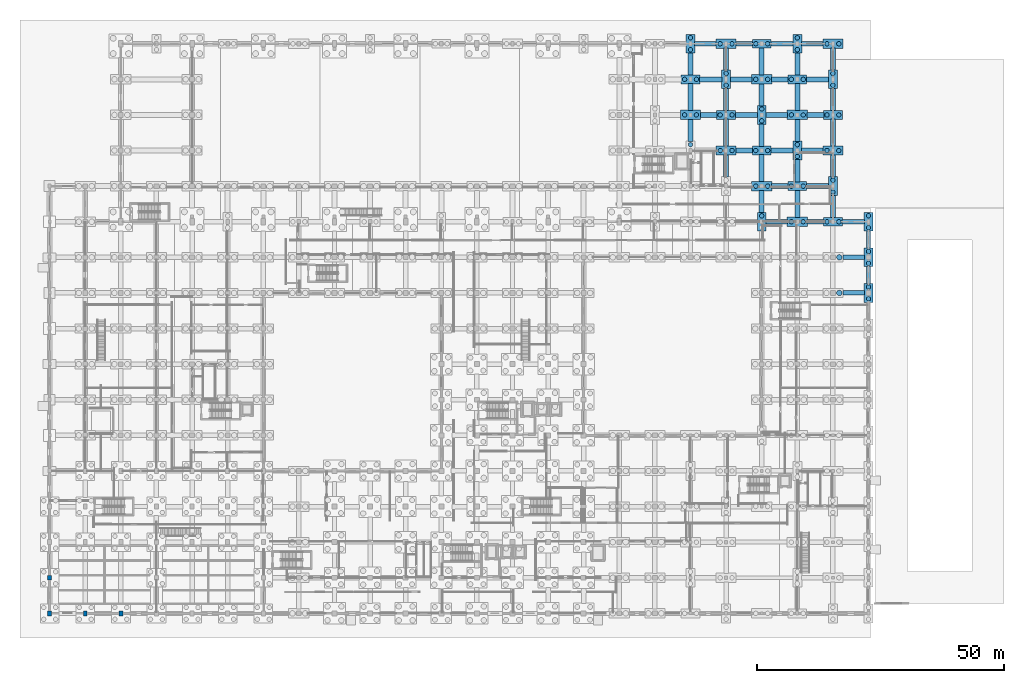
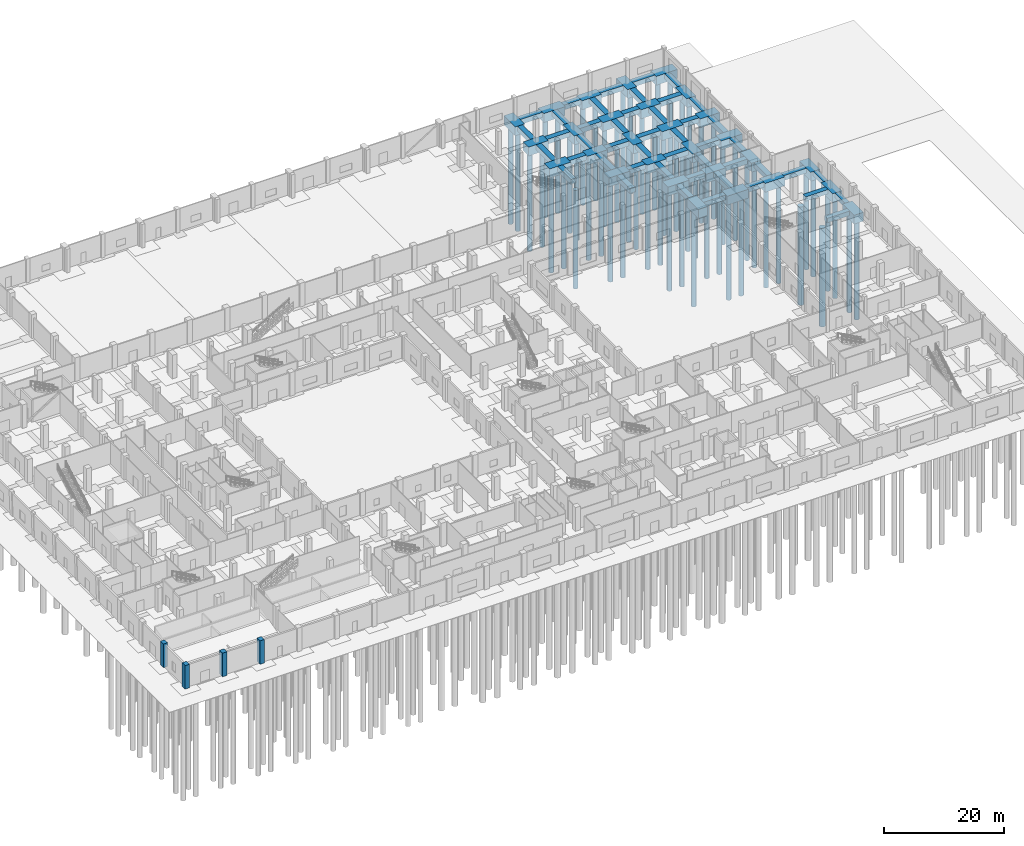
# One storey, part 12 of 48: 74 footings, 58 piles, 4 columns.
"""IFC4 building model written with IfcOpenShell, lengths in metres."""

from ifc_helpers import new_model, si_unit, direction, frame, origin, origin_2d, place, context, subcontext, project, spatial, rectangle, circle, extrude, material, material_profile, profile_set, type_object, element, save


model = new_model("IFC4")

# Units and contexts
model_context = context("Model", 3, precision=1e-05, world=origin(), true_north=direction((0.0, 1.0)))
body_context = subcontext(model_context, "Body", "Model", "MODEL_VIEW")
ifc_project = project(units=[si_unit("LENGTHUNIT", "METRE"), si_unit("AREAUNIT", "SQUARE_METRE"), si_unit("VOLUMEUNIT", "CUBIC_METRE"), si_unit("PLANEANGLEUNIT", "RADIAN"), si_unit("MASSUNIT", "GRAM", prefix="KILO")], contexts=[model_context])

# Site, building, storey
site_placement = place(None, origin())
site = spatial("IfcSite", under=ifc_project, at=site_placement, CompositionType="ELEMENT")
building_placement = place(site_placement, origin())
building = spatial("IfcBuilding", under=site, at=building_placement, Name="Seraya Terrace Polytechnic", CompositionType="ELEMENT")
storey_placement = place(building_placement, origin())
storey = spatial("IfcBuildingStorey", under=building, at=storey_placement, Name="L00", CompositionType="ELEMENT", Elevation=0.0)

# Piles
ifc_material = material(Name="Concrete C40/50", Category="concrete")
ifc_material_profile_1 = material_profile(ifc_material, circle(Radius=0.449951171875, at=origin_2d()), Name="DIA 900")
ifc_profile_set_1 = profile_set([ifc_material_profile_1], Name="Concrete C40/50")
pile_type_1 = type_object("IfcPileType", Name="BP-02", PredefinedType="BORED", material=ifc_profile_set_1)
for number, where, z_axis, x_axis, name in (
    (1, (129.60009765625, 94.800048828125, -1.699951171875), (0.0, 0.0, -1.0), (1.0, 0.0, 0.0), "Bored pile BP-02 1296_0936-2"),
    (2, (128.39990234375, 100.800048828125, -1.699951171875), (0.0, 0.0, -1.0), (1.0, 0.0, 0.0), "Bored pile BP-02 1296_1008-1"),
    (3, (130.800048828125, 100.800048828125, -1.699951171875), (0.0, 0.0, -1.0), (1.0, 0.0, 0.0), "Bored pile BP-02 1296_1008-2"),
    (4, (128.39990234375, 108.0, -1.699951171875), (0.0, 0.0, -1.0), (1.0, 0.0, 0.0), "Bored pile BP-02 1296_1080-1"),
    (5, (130.800048828125, 108.0, -1.699951171875), (0.0, 0.0, -1.0), (1.0, 0.0, 0.0), "Bored pile BP-02 1296_1080-2"),
    (6, (129.60009765625, 114.0, -1.699951171875), (0.0, 0.0, -1.0), (1.0, 0.0, 0.0), "Bored pile BP-02 1296_1152-1"),
    (7, (129.60009765625, 116.39990234375, -1.699951171875), (0.0, 0.0, -1.0), (1.0, 0.0, 0.0), "Bored pile BP-02 1296_1152-2"),
    (8, (135.60009765625, 93.60009765625, -1.699951171875), (0.0, 0.0, -1.0), (1.0, 0.0, 0.0), "Bored pile BP-02 1368_0936-1"),
    (9, (138.0, 93.60009765625, -1.699951171875), (0.0, 0.0, -1.0), (1.0, 0.0, 0.0), "Bored pile BP-02 1368_0936-2"),
    (10, (135.60009765625, 100.800048828125, -1.699951171875), (0.0, 0.0, -1.0), (1.0, 0.0, 0.0), "Bored pile BP-02 1368_1008-1"),
    (11, (138.0, 100.800048828125, -1.699951171875), (0.0, 0.0, -1.0), (1.0, 0.0, 0.0), "Bored pile BP-02 1368_1008-2"),
    (12, (136.800048828125, 106.800048828125, -1.699951171875), (0.0, 0.0, -1.0), (1.0, 0.0, 0.0), "Bored pile BP-02 1368_1080-1"),
    (13, (136.800048828125, 109.199951171875, -1.699951171875), (0.0, 0.0, -1.0), (1.0, 0.0, 0.0), "Bored pile BP-02 1368_1080-2"),
    (14, (135.60009765625, 115.199951171875, -1.699951171875), (0.0, 0.0, -1.0), (1.0, 0.0, 0.0), "Bored pile BP-02 1368_1152-1"),
    (15, (138.0, 115.199951171875, -1.699951171875), (0.0, 0.0, -1.0), (1.0, 0.0, 0.0), "Bored pile BP-02 1368_1152-2"),
    (16, (144.0, 80.39990234375, -1.699951171875), (0.0, 0.0, -1.0), (1.0, 0.0, 0.0), "Bored pile BP-02 1440_0792-2"),
    (17, (142.800048828125, 86.39990234375, -1.699951171875), (0.0, 0.0, -1.0), (1.0, 0.0, 0.0), "Bored pile BP-02 1440_0864-1"),
    (18, (145.199951171875, 86.39990234375, -1.699951171875), (0.0, 0.0, -1.0), (1.0, 0.0, 0.0), "Bored pile BP-02 1440_0864-2"),
    (19, (142.800048828125, 93.60009765625, -1.699951171875), (0.0, 0.0, -1.0), (1.0, 0.0, 0.0), "Bored pile BP-02 1440_0936-1"),
    (20, (145.199951171875, 93.60009765625, -1.699951171875), (0.0, 0.0, -1.0), (1.0, 0.0, 0.0), "Bored pile BP-02 1440_0936-2"),
    (21, (144.0, 99.60009765625, -1.699951171875), (0.0, 0.0, -1.0), (1.0, 0.0, 0.0), "Bored pile BP-02 1440_1008-1"),
    (22, (144.0, 102.0, -1.699951171875), (0.0, 0.0, -1.0), (1.0, 0.0, 0.0), "Bored pile BP-02 1440_1008-2"),
    (23, (142.800048828125, 108.0, -1.699951171875), (0.0, 0.0, -1.0), (1.0, 0.0, 0.0), "Bored pile BP-02 1440_1080-1"),
    (24, (145.199951171875, 108.0, -1.699951171875), (0.0, 0.0, -1.0), (1.0, 0.0, 0.0), "Bored pile BP-02 1440_1080-2"),
    (25, (142.800048828125, 115.199951171875, -1.699951171875), (0.0, 0.0, -1.0), (1.0, 0.0, 0.0), "Bored pile BP-02 1440_1152-1"),
    (26, (145.199951171875, 115.199951171875, -1.699951171875), (0.0, 0.0, -1.0), (1.0, 0.0, 0.0), "Bored pile BP-02 1440_1152-2"),
    (27, (150.0, 79.199951171875, -1.699951171875), (0.0, 0.0, -1.0), (1.0, 0.0, 0.0), "Bored pile BP-02 1512_0792-1"),
    (28, (152.39990234375, 79.199951171875, -1.699951171875), (0.0, 0.0, -1.0), (1.0, 0.0, 0.0), "Bored pile BP-02 1512_0792-2"),
    (29, (150.0, 86.39990234375, -1.699951171875), (0.0, 0.0, -1.0), (1.0, 0.0, 0.0), "Bored pile BP-02 1512_0864-1"),
    (30, (152.39990234375, 86.39990234375, -1.699951171875), (0.0, 0.0, -1.0), (1.0, 0.0, 0.0), "Bored pile BP-02 1512_0864-2"),
    (31, (151.199951171875, 92.39990234375, -1.699951171875), (0.0, 0.0, -1.0), (1.0, 0.0, 0.0), "Bored pile BP-02 1512_0936-1"),
    (32, (151.199951171875, 94.800048828125, -1.699951171875), (0.0, 0.0, -1.0), (1.0, 0.0, 0.0), "Bored pile BP-02 1512_0936-2"),
    (33, (150.0, 100.800048828125, -1.699951171875), (0.0, 0.0, -1.0), (1.0, 0.0, 0.0), "Bored pile BP-02 1512_1008-1"),
    (34, (152.39990234375, 100.800048828125, -1.699951171875), (0.0, 0.0, -1.0), (1.0, 0.0, 0.0), "Bored pile BP-02 1512_1008-2"),
    (35, (150.0, 108.0, -1.699951171875), (0.0, 0.0, -1.0), (1.0, 0.0, 0.0), "Bored pile BP-02 1512_1080-1"),
    (36, (152.39990234375, 108.0, -1.699951171875), (0.0, 0.0, -1.0), (1.0, 0.0, 0.0), "Bored pile BP-02 1512_1080-2"),
    (37, (151.199951171875, 114.0, -1.699951171875), (0.0, 0.0, -1.0), (1.0, 0.0, 0.0), "Bored pile BP-02 1512_1152-1"),
    (38, (151.199951171875, 116.39990234375, -1.699951171875), (0.0, 0.0, -1.0), (1.0, 0.0, 0.0), "Bored pile BP-02 1512_1152-2"),
    (39, (157.199951171875, 79.199951171875, -1.699951171875), (0.0, 0.0, -1.0), (1.0, 0.0, 0.0), "Bored pile BP-02 1584_0792-1"),
    (40, (159.60009765625, 79.199951171875, -1.699951171875), (0.0, 0.0, -1.0), (1.0, 0.0, 0.0), "Bored pile BP-02 1584_0792-2"),
    (41, (158.39990234375, 85.199951171875, -1.699951171875), (0.0, 0.0, -1.0), (1.0, 0.0, 0.0), "Bored pile BP-02 1584_0864-1"),
    (42, (158.39990234375, 87.60009765625, -1.699951171875), (0.0, 0.0, -1.0), (1.0, 0.0, 0.0), "Bored pile BP-02 1584_0864-2"),
    (43, (157.199951171875, 93.60009765625, -1.699951171875), (0.0, 0.0, -1.0), (1.0, 0.0, 0.0), "Bored pile BP-02 1584_0936-1"),
    (44, (159.60009765625, 93.60009765625, -1.699951171875), (0.0, 0.0, -1.0), (1.0, 0.0, 0.0), "Bored pile BP-02 1584_0936-2"),
    (45, (157.199951171875, 100.800048828125, -1.699951171875), (0.0, 0.0, -1.0), (1.0, 0.0, 0.0), "Bored pile BP-02 1584_1008-1"),
    (46, (159.60009765625, 100.800048828125, -1.699951171875), (0.0, 0.0, -1.0), (1.0, 0.0, 0.0), "Bored pile BP-02 1584_1008-2"),
    (47, (158.39990234375, 106.800048828125, -1.699951171875), (0.0, 0.0, -1.0), (1.0, 0.0, 0.0), "Bored pile BP-02 1584_1080-1"),
    (48, (158.39990234375, 109.199951171875, -1.699951171875), (0.0, 0.0, -1.0), (1.0, 0.0, 0.0), "Bored pile BP-02 1584_1080-2"),
    (49, (157.199951171875, 115.199951171875, -1.699951171875), (0.0, 0.0, -1.0), (1.0, 0.0, 0.0), "Bored pile BP-02 1584_1152-1"),
    (50, (159.60009765625, 115.199951171875, -1.699951171875), (0.0, 0.0, -1.0), (1.0, 0.0, 0.0), "Bored pile BP-02 1584_1152-2"),
    (51, (165.60009765625, 63.60009765625, -1.699951171875), (0.0, 0.0, -1.0), (1.0, 0.0, 0.0), "Bored pile BP-02 1656_0648-1"),
    (52, (165.60009765625, 66.0, -1.699951171875), (0.0, 0.0, -1.0), (1.0, 0.0, 0.0), "Bored pile BP-02 1656_0648-2"),
    (53, (165.60009765625, 70.800048828125, -1.699951171875), (0.0, 0.0, -1.0), (1.0, 0.0, 0.0), "Bored pile BP-02 1656_0720-1"),
    (54, (165.60009765625, 73.199951171875, -1.699951171875), (0.0, 0.0, -1.0), (1.0, 0.0, 0.0), "Bored pile BP-02 1656_0720-2"),
    (55, (165.60009765625, 78.0, -1.699951171875), (0.0, 0.0, -1.0), (1.0, 0.0, 0.0), "Bored pile BP-02 1656_0792-1"),
    (56, (165.60009765625, 80.39990234375, -1.699951171875), (0.0, 0.0, -1.0), (1.0, 0.0, 0.0), "Bored pile BP-02 1656_0792-2"),
):
    element("IfcPile", number, at=place(storey_placement, frame(where, z_axis=z_axis, x_axis=x_axis)), inside=storey, type_object=pile_type_1, Name=name, PredefinedType="BORED", context=body_context, shape_type="SweptSolid", body=[
        extrude(circle(Radius=0.449951171875, at=origin_2d()), origin(), (0.0, 0.0, 1.0), 20.0),
    ])
ifc_material_profile_2 = material_profile(ifc_material, circle(Radius=0.550048828125, at=origin_2d()), Name="DIA 1100")
ifc_profile_set_2 = profile_set([ifc_material_profile_2], Name="Concrete C40/50")
pile_type_2 = type_object("IfcPileType", Name="BP-04", PredefinedType="BORED", material=ifc_profile_set_2)
for number, where, z_axis, x_axis, name in (
    (57, (159.699951171875, 64.800048828125, -1.699951171875), (0.0, 0.0, -1.0), (1.0, 0.0, 0.0), "Bored pile BP-04 1584_0648-2"),
    (58, (159.699951171875, 72.0, -1.699951171875), (0.0, 0.0, -1.0), (1.0, 0.0, 0.0), "Bored pile BP-04 1584_0720-2"),
):
    element("IfcPile", number, at=place(storey_placement, frame(where, z_axis=z_axis, x_axis=x_axis)), inside=storey, type_object=pile_type_2, Name=name, PredefinedType="BORED", context=body_context, shape_type="SweptSolid", body=[
        extrude(circle(Radius=0.550048828125, at=origin_2d()), origin(), (0.0, 0.0, 1.0), 20.0),
    ])

# Footings
footing_type_1 = type_object("IfcFootingType", Name="FB-01", PredefinedType="FOOTING_BEAM", material=ifc_material)
for number, where, z_axis, x_axis, name in (
    (59, (162.574951171875, 64.800048828125, -0.89990234375), (0.0, 0.0, 1.0), (1.0, 0.0, 0.0), "Foundation tie beam FB-01 X"),
    (60, (162.574951171875, 72.0, -0.89990234375), (0.0, 0.0, 1.0), (1.0, 0.0, 0.0), "Foundation tie beam FB-01 X"),
):
    element("IfcFooting", number, at=place(storey_placement, frame(where, z_axis=z_axis, x_axis=x_axis)), inside=storey, type_object=footing_type_1, Name=name, PredefinedType="FOOTING_BEAM", context=body_context, shape_type="SweptSolid", body=[
        extrude(rectangle(XDim=4.35009765625, YDim=0.89990234375, at=origin_2d()), origin(), (0.0, 0.0, 1.0), 0.89990234375),
    ])
for number, where, z_axis, x_axis, name in (
    (61, (165.60009765625, 68.39990234375, -0.89990234375), (0.0, 0.0, 1.0), (0.0, 1.0, 0.0), "Foundation tie beam FB-01 Y"),
    (62, (165.60009765625, 75.60009765625, -0.89990234375), (0.0, 0.0, 1.0), (0.0, 1.0, 0.0), "Foundation tie beam FB-01 Y"),
):
    element("IfcFooting", number, at=place(storey_placement, frame(where, z_axis=z_axis, x_axis=x_axis)), inside=storey, type_object=footing_type_1, Name=name, PredefinedType="FOOTING_BEAM", context=body_context, shape_type="SweptSolid", body=[
        extrude(rectangle(XDim=3.5, YDim=0.89990234375, at=origin_2d()), origin(), (0.0, 0.0, 1.0), 0.89990234375),
    ])
footing_type_2 = type_object("IfcFootingType", Name="FB-03", PredefinedType="FOOTING_BEAM", material=ifc_material)
footing_1_placement = place(storey_placement, frame((129.60009765625, 97.675048828125, -1.0), z_axis=(0.0, 0.0, 1.0), x_axis=(0.0, 1.0, 0.0)))
element("IfcFooting", 63, at=footing_1_placement, inside=storey, type_object=footing_type_2, Name="Foundation tie beam FB-03 Y", PredefinedType="FOOTING_BEAM", context=body_context, shape_type="SweptSolid", body=[
    extrude(rectangle(XDim=4.449951171875, YDim=1.0, at=origin_2d()), origin(), (0.0, 0.0, 1.0), 1.0),
])
footing_2_placement = place(storey_placement, frame((133.27490234375, 100.800048828125, -1.0), z_axis=(0.0, 0.0, 1.0), x_axis=(1.0, 0.0, 0.0)))
element("IfcFooting", 64, at=footing_2_placement, inside=storey, type_object=footing_type_2, Name="Foundation tie beam FB-03 X", PredefinedType="FOOTING_BEAM", context=body_context, shape_type="SweptSolid", body=[
    extrude(rectangle(XDim=3.35009765625, YDim=1.0, at=origin_2d()), origin(), (0.0, 0.0, 1.0), 1.0),
])
footing_3_placement = place(storey_placement, frame((129.60009765625, 104.425048828125, -1.0), z_axis=(0.0, 0.0, 1.0), x_axis=(0.0, 1.0, 0.0)))
element("IfcFooting", 65, at=footing_3_placement, inside=storey, type_object=footing_type_2, Name="Foundation tie beam FB-03 Y", PredefinedType="FOOTING_BEAM", context=body_context, shape_type="SweptSolid", body=[
    extrude(rectangle(XDim=5.449951171875, YDim=1.0, at=origin_2d()), origin(), (0.0, 0.0, 1.0), 1.0),
])
for number, where, z_axis, x_axis, name in (
    (66, (133.699951171875, 108.0, -1.0), (0.0, 0.0, 1.0), (1.0, 0.0, 0.0), "Foundation tie beam FB-03 X"),
    (67, (129.60009765625, 111.10009765625, -1.0), (0.0, 0.0, 1.0), (0.0, 1.0, 0.0), "Foundation tie beam FB-03 Y"),
):
    element("IfcFooting", number, at=place(storey_placement, frame(where, z_axis=z_axis, x_axis=x_axis)), inside=storey, type_object=footing_type_2, Name=name, PredefinedType="FOOTING_BEAM", context=body_context, shape_type="SweptSolid", body=[
        extrude(rectangle(XDim=4.5, YDim=1.0, at=origin_2d()), origin(), (0.0, 0.0, 1.0), 1.0),
    ])
footing_4_placement = place(storey_placement, frame((132.625, 115.199951171875, -1.0), z_axis=(0.0, 0.0, 1.0), x_axis=(1.0, 0.0, 0.0)))
element("IfcFooting", 68, at=footing_4_placement, inside=storey, type_object=footing_type_2, Name="Foundation tie beam FB-03 X", PredefinedType="FOOTING_BEAM", context=body_context, shape_type="SweptSolid", body=[
    extrude(rectangle(XDim=4.35009765625, YDim=1.0, at=origin_2d()), origin(), (0.0, 0.0, 1.0), 1.0),
])
footing_5_placement = place(storey_placement, frame((136.800048828125, 90.47509765625, -1.0), z_axis=(0.0, 0.0, 1.0), x_axis=(0.0, 1.0, 0.0)))
element("IfcFooting", 69, at=footing_5_placement, inside=storey, type_object=footing_type_2, Name="Foundation tie beam FB-03 Y", PredefinedType="FOOTING_BEAM", context=body_context, shape_type="SweptSolid", body=[
    extrude(rectangle(XDim=4.449951171875, YDim=1.0, at=origin_2d()), origin(), (0.0, 0.0, 1.0), 1.0),
])
footing_6_placement = place(storey_placement, frame((140.47509765625, 93.60009765625, -1.0), z_axis=(0.0, 0.0, 1.0), x_axis=(1.0, 0.0, 0.0)))
element("IfcFooting", 70, at=footing_6_placement, inside=storey, type_object=footing_type_2, Name="Foundation tie beam FB-03 X", PredefinedType="FOOTING_BEAM", context=body_context, shape_type="SweptSolid", body=[
    extrude(rectangle(XDim=3.35009765625, YDim=1.0, at=origin_2d()), origin(), (0.0, 0.0, 1.0), 1.0),
])
footing_7_placement = place(storey_placement, frame((136.800048828125, 97.22509765625, -1.0), z_axis=(0.0, 0.0, 1.0), x_axis=(0.0, 1.0, 0.0)))
element("IfcFooting", 71, at=footing_7_placement, inside=storey, type_object=footing_type_2, Name="Foundation tie beam FB-03 Y", PredefinedType="FOOTING_BEAM", context=body_context, shape_type="SweptSolid", body=[
    extrude(rectangle(XDim=5.449951171875, YDim=1.0, at=origin_2d()), origin(), (0.0, 0.0, 1.0), 1.0),
])
for number, where, z_axis, x_axis, name in (
    (72, (140.89990234375, 100.800048828125, -1.0), (0.0, 0.0, 1.0), (1.0, 0.0, 0.0), "Foundation tie beam FB-03 X"),
    (73, (136.800048828125, 103.89990234375, -1.0), (0.0, 0.0, 1.0), (0.0, 1.0, 0.0), "Foundation tie beam FB-03 Y"),
):
    element("IfcFooting", number, at=place(storey_placement, frame(where, z_axis=z_axis, x_axis=x_axis)), inside=storey, type_object=footing_type_2, Name=name, PredefinedType="FOOTING_BEAM", context=body_context, shape_type="SweptSolid", body=[
        extrude(rectangle(XDim=4.5, YDim=1.0, at=origin_2d()), origin(), (0.0, 0.0, 1.0), 1.0),
    ])
footing_8_placement = place(storey_placement, frame((139.824951171875, 108.0, -1.0), z_axis=(0.0, 0.0, 1.0), x_axis=(1.0, 0.0, 0.0)))
element("IfcFooting", 74, at=footing_8_placement, inside=storey, type_object=footing_type_2, Name="Foundation tie beam FB-03 X", PredefinedType="FOOTING_BEAM", context=body_context, shape_type="SweptSolid", body=[
    extrude(rectangle(XDim=4.35009765625, YDim=1.0, at=origin_2d()), origin(), (0.0, 0.0, 1.0), 1.0),
])
footing_9_placement = place(storey_placement, frame((136.800048828125, 112.074951171875, -1.0), z_axis=(0.0, 0.0, 1.0), x_axis=(0.0, 1.0, 0.0)))
element("IfcFooting", 75, at=footing_9_placement, inside=storey, type_object=footing_type_2, Name="Foundation tie beam FB-03 Y", PredefinedType="FOOTING_BEAM", context=body_context, shape_type="SweptSolid", body=[
    extrude(rectangle(XDim=4.449951171875, YDim=1.0, at=origin_2d()), origin(), (0.0, 0.0, 1.0), 1.0),
])
footing_10_placement = place(storey_placement, frame((140.47509765625, 115.199951171875, -1.0), z_axis=(0.0, 0.0, 1.0), x_axis=(1.0, 0.0, 0.0)))
element("IfcFooting", 76, at=footing_10_placement, inside=storey, type_object=footing_type_2, Name="Foundation tie beam FB-03 X", PredefinedType="FOOTING_BEAM", context=body_context, shape_type="SweptSolid", body=[
    extrude(rectangle(XDim=3.35009765625, YDim=1.0, at=origin_2d()), origin(), (0.0, 0.0, 1.0), 1.0),
])
footing_11_placement = place(storey_placement, frame((147.02490234375, 79.199951171875, -1.0), z_axis=(0.0, 0.0, 1.0), x_axis=(1.0, 0.0, 0.0)))
element("IfcFooting", 77, at=footing_11_placement, inside=storey, type_object=footing_type_2, Name="Foundation tie beam FB-03 X", PredefinedType="FOOTING_BEAM", context=body_context, shape_type="SweptSolid", body=[
    extrude(rectangle(XDim=4.35009765625, YDim=1.0, at=origin_2d()), origin(), (0.0, 0.0, 1.0), 1.0),
])
footing_12_placement = place(storey_placement, frame((144.0, 83.27490234375, -1.0), z_axis=(0.0, 0.0, 1.0), x_axis=(0.0, 1.0, 0.0)))
element("IfcFooting", 78, at=footing_12_placement, inside=storey, type_object=footing_type_2, Name="Foundation tie beam FB-03 Y", PredefinedType="FOOTING_BEAM", context=body_context, shape_type="SweptSolid", body=[
    extrude(rectangle(XDim=4.449951171875, YDim=1.0, at=origin_2d()), origin(), (0.0, 0.0, 1.0), 1.0),
])
footing_13_placement = place(storey_placement, frame((147.675048828125, 86.39990234375, -1.0), z_axis=(0.0, 0.0, 1.0), x_axis=(1.0, 0.0, 0.0)))
element("IfcFooting", 79, at=footing_13_placement, inside=storey, type_object=footing_type_2, Name="Foundation tie beam FB-03 X", PredefinedType="FOOTING_BEAM", context=body_context, shape_type="SweptSolid", body=[
    extrude(rectangle(XDim=3.35009765625, YDim=1.0, at=origin_2d()), origin(), (0.0, 0.0, 1.0), 1.0),
])
footing_14_placement = place(storey_placement, frame((144.0, 90.02490234375, -1.0), z_axis=(0.0, 0.0, 1.0), x_axis=(0.0, 1.0, 0.0)))
element("IfcFooting", 80, at=footing_14_placement, inside=storey, type_object=footing_type_2, Name="Foundation tie beam FB-03 Y", PredefinedType="FOOTING_BEAM", context=body_context, shape_type="SweptSolid", body=[
    extrude(rectangle(XDim=5.449951171875, YDim=1.0, at=origin_2d()), origin(), (0.0, 0.0, 1.0), 1.0),
])
for number, where, z_axis, x_axis, name in (
    (81, (148.10009765625, 93.60009765625, -1.0), (0.0, 0.0, 1.0), (1.0, 0.0, 0.0), "Foundation tie beam FB-03 X"),
    (82, (144.0, 96.699951171875, -1.0), (0.0, 0.0, 1.0), (0.0, 1.0, 0.0), "Foundation tie beam FB-03 Y"),
):
    element("IfcFooting", number, at=place(storey_placement, frame(where, z_axis=z_axis, x_axis=x_axis)), inside=storey, type_object=footing_type_2, Name=name, PredefinedType="FOOTING_BEAM", context=body_context, shape_type="SweptSolid", body=[
        extrude(rectangle(XDim=4.5, YDim=1.0, at=origin_2d()), origin(), (0.0, 0.0, 1.0), 1.0),
    ])
footing_15_placement = place(storey_placement, frame((147.02490234375, 100.800048828125, -1.0), z_axis=(0.0, 0.0, 1.0), x_axis=(1.0, 0.0, 0.0)))
element("IfcFooting", 83, at=footing_15_placement, inside=storey, type_object=footing_type_2, Name="Foundation tie beam FB-03 X", PredefinedType="FOOTING_BEAM", context=body_context, shape_type="SweptSolid", body=[
    extrude(rectangle(XDim=4.35009765625, YDim=1.0, at=origin_2d()), origin(), (0.0, 0.0, 1.0), 1.0),
])
footing_16_placement = place(storey_placement, frame((144.0, 104.875, -1.0), z_axis=(0.0, 0.0, 1.0), x_axis=(0.0, 1.0, 0.0)))
element("IfcFooting", 84, at=footing_16_placement, inside=storey, type_object=footing_type_2, Name="Foundation tie beam FB-03 Y", PredefinedType="FOOTING_BEAM", context=body_context, shape_type="SweptSolid", body=[
    extrude(rectangle(XDim=4.449951171875, YDim=1.0, at=origin_2d()), origin(), (0.0, 0.0, 1.0), 1.0),
])
footing_17_placement = place(storey_placement, frame((147.675048828125, 108.0, -1.0), z_axis=(0.0, 0.0, 1.0), x_axis=(1.0, 0.0, 0.0)))
element("IfcFooting", 85, at=footing_17_placement, inside=storey, type_object=footing_type_2, Name="Foundation tie beam FB-03 X", PredefinedType="FOOTING_BEAM", context=body_context, shape_type="SweptSolid", body=[
    extrude(rectangle(XDim=3.35009765625, YDim=1.0, at=origin_2d()), origin(), (0.0, 0.0, 1.0), 1.0),
])
footing_18_placement = place(storey_placement, frame((144.0, 111.625, -1.0), z_axis=(0.0, 0.0, 1.0), x_axis=(0.0, 1.0, 0.0)))
element("IfcFooting", 86, at=footing_18_placement, inside=storey, type_object=footing_type_2, Name="Foundation tie beam FB-03 Y", PredefinedType="FOOTING_BEAM", context=body_context, shape_type="SweptSolid", body=[
    extrude(rectangle(XDim=5.449951171875, YDim=1.0, at=origin_2d()), origin(), (0.0, 0.0, 1.0), 1.0),
])
footing_19_placement = place(storey_placement, frame((148.10009765625, 115.199951171875, -1.0), z_axis=(0.0, 0.0, 1.0), x_axis=(1.0, 0.0, 0.0)))
element("IfcFooting", 87, at=footing_19_placement, inside=storey, type_object=footing_type_2, Name="Foundation tie beam FB-03 X", PredefinedType="FOOTING_BEAM", context=body_context, shape_type="SweptSolid", body=[
    extrude(rectangle(XDim=4.5, YDim=1.0, at=origin_2d()), origin(), (0.0, 0.0, 1.0), 1.0),
])
footing_20_placement = place(storey_placement, frame((154.875, 79.199951171875, -1.0), z_axis=(0.0, 0.0, 1.0), x_axis=(1.0, 0.0, 0.0)))
element("IfcFooting", 88, at=footing_20_placement, inside=storey, type_object=footing_type_2, Name="Foundation tie beam FB-03 X", PredefinedType="FOOTING_BEAM", context=body_context, shape_type="SweptSolid", body=[
    extrude(rectangle(XDim=3.35009765625, YDim=1.0, at=origin_2d()), origin(), (0.0, 0.0, 1.0), 1.0),
])
footing_21_placement = place(storey_placement, frame((151.199951171875, 82.824951171875, -1.0), z_axis=(0.0, 0.0, 1.0), x_axis=(0.0, 1.0, 0.0)))
element("IfcFooting", 89, at=footing_21_placement, inside=storey, type_object=footing_type_2, Name="Foundation tie beam FB-03 Y", PredefinedType="FOOTING_BEAM", context=body_context, shape_type="SweptSolid", body=[
    extrude(rectangle(XDim=5.449951171875, YDim=1.0, at=origin_2d()), origin(), (0.0, 0.0, 1.0), 1.0),
])
for number, where, z_axis, x_axis, name in (
    (90, (155.300048828125, 86.39990234375, -1.0), (0.0, 0.0, 1.0), (1.0, 0.0, 0.0), "Foundation tie beam FB-03 X"),
    (91, (151.199951171875, 89.5, -1.0), (0.0, 0.0, 1.0), (0.0, 1.0, 0.0), "Foundation tie beam FB-03 Y"),
):
    element("IfcFooting", number, at=place(storey_placement, frame(where, z_axis=z_axis, x_axis=x_axis)), inside=storey, type_object=footing_type_2, Name=name, PredefinedType="FOOTING_BEAM", context=body_context, shape_type="SweptSolid", body=[
        extrude(rectangle(XDim=4.5, YDim=1.0, at=origin_2d()), origin(), (0.0, 0.0, 1.0), 1.0),
    ])
footing_22_placement = place(storey_placement, frame((154.22509765625, 93.60009765625, -1.0), z_axis=(0.0, 0.0, 1.0), x_axis=(1.0, 0.0, 0.0)))
element("IfcFooting", 92, at=footing_22_placement, inside=storey, type_object=footing_type_2, Name="Foundation tie beam FB-03 X", PredefinedType="FOOTING_BEAM", context=body_context, shape_type="SweptSolid", body=[
    extrude(rectangle(XDim=4.35009765625, YDim=1.0, at=origin_2d()), origin(), (0.0, 0.0, 1.0), 1.0),
])
footing_23_placement = place(storey_placement, frame((151.199951171875, 97.675048828125, -1.0), z_axis=(0.0, 0.0, 1.0), x_axis=(0.0, 1.0, 0.0)))
element("IfcFooting", 93, at=footing_23_placement, inside=storey, type_object=footing_type_2, Name="Foundation tie beam FB-03 Y", PredefinedType="FOOTING_BEAM", context=body_context, shape_type="SweptSolid", body=[
    extrude(rectangle(XDim=4.449951171875, YDim=1.0, at=origin_2d()), origin(), (0.0, 0.0, 1.0), 1.0),
])
footing_24_placement = place(storey_placement, frame((154.875, 100.800048828125, -1.0), z_axis=(0.0, 0.0, 1.0), x_axis=(1.0, 0.0, 0.0)))
element("IfcFooting", 94, at=footing_24_placement, inside=storey, type_object=footing_type_2, Name="Foundation tie beam FB-03 X", PredefinedType="FOOTING_BEAM", context=body_context, shape_type="SweptSolid", body=[
    extrude(rectangle(XDim=3.35009765625, YDim=1.0, at=origin_2d()), origin(), (0.0, 0.0, 1.0), 1.0),
])
footing_25_placement = place(storey_placement, frame((151.199951171875, 104.425048828125, -1.0), z_axis=(0.0, 0.0, 1.0), x_axis=(0.0, 1.0, 0.0)))
element("IfcFooting", 95, at=footing_25_placement, inside=storey, type_object=footing_type_2, Name="Foundation tie beam FB-03 Y", PredefinedType="FOOTING_BEAM", context=body_context, shape_type="SweptSolid", body=[
    extrude(rectangle(XDim=5.449951171875, YDim=1.0, at=origin_2d()), origin(), (0.0, 0.0, 1.0), 1.0),
])
for number, where, z_axis, x_axis, name in (
    (96, (155.300048828125, 108.0, -1.0), (0.0, 0.0, 1.0), (1.0, 0.0, 0.0), "Foundation tie beam FB-03 X"),
    (97, (151.199951171875, 111.10009765625, -1.0), (0.0, 0.0, 1.0), (0.0, 1.0, 0.0), "Foundation tie beam FB-03 Y"),
):
    element("IfcFooting", number, at=place(storey_placement, frame(where, z_axis=z_axis, x_axis=x_axis)), inside=storey, type_object=footing_type_2, Name=name, PredefinedType="FOOTING_BEAM", context=body_context, shape_type="SweptSolid", body=[
        extrude(rectangle(XDim=4.5, YDim=1.0, at=origin_2d()), origin(), (0.0, 0.0, 1.0), 1.0),
    ])
footing_26_placement = place(storey_placement, frame((154.22509765625, 115.199951171875, -1.0), z_axis=(0.0, 0.0, 1.0), x_axis=(1.0, 0.0, 0.0)))
element("IfcFooting", 98, at=footing_26_placement, inside=storey, type_object=footing_type_2, Name="Foundation tie beam FB-03 X", PredefinedType="FOOTING_BEAM", context=body_context, shape_type="SweptSolid", body=[
    extrude(rectangle(XDim=4.35009765625, YDim=1.0, at=origin_2d()), origin(), (0.0, 0.0, 1.0), 1.0),
])
for number, where, z_axis, x_axis, name in (
    (99, (162.5, 79.199951171875, -1.0), (0.0, 0.0, 1.0), (1.0, 0.0, 0.0), "Foundation tie beam FB-03 X"),
    (100, (158.39990234375, 82.300048828125, -1.0), (0.0, 0.0, 1.0), (0.0, 1.0, 0.0), "Foundation tie beam FB-03 Y"),
):
    element("IfcFooting", number, at=place(storey_placement, frame(where, z_axis=z_axis, x_axis=x_axis)), inside=storey, type_object=footing_type_2, Name=name, PredefinedType="FOOTING_BEAM", context=body_context, shape_type="SweptSolid", body=[
        extrude(rectangle(XDim=4.5, YDim=1.0, at=origin_2d()), origin(), (0.0, 0.0, 1.0), 1.0),
    ])
footing_27_placement = place(storey_placement, frame((158.39990234375, 90.47509765625, -1.0), z_axis=(0.0, 0.0, 1.0), x_axis=(0.0, 1.0, 0.0)))
element("IfcFooting", 101, at=footing_27_placement, inside=storey, type_object=footing_type_2, Name="Foundation tie beam FB-03 Y", PredefinedType="FOOTING_BEAM", context=body_context, shape_type="SweptSolid", body=[
    extrude(rectangle(XDim=4.449951171875, YDim=1.0, at=origin_2d()), origin(), (0.0, 0.0, 1.0), 1.0),
])
footing_28_placement = place(storey_placement, frame((158.39990234375, 97.22509765625, -1.0), z_axis=(0.0, 0.0, 1.0), x_axis=(0.0, 1.0, 0.0)))
element("IfcFooting", 102, at=footing_28_placement, inside=storey, type_object=footing_type_2, Name="Foundation tie beam FB-03 Y", PredefinedType="FOOTING_BEAM", context=body_context, shape_type="SweptSolid", body=[
    extrude(rectangle(XDim=5.449951171875, YDim=1.0, at=origin_2d()), origin(), (0.0, 0.0, 1.0), 1.0),
])
footing_29_placement = place(storey_placement, frame((158.39990234375, 103.89990234375, -1.0), z_axis=(0.0, 0.0, 1.0), x_axis=(0.0, 1.0, 0.0)))
element("IfcFooting", 103, at=footing_29_placement, inside=storey, type_object=footing_type_2, Name="Foundation tie beam FB-03 Y", PredefinedType="FOOTING_BEAM", context=body_context, shape_type="SweptSolid", body=[
    extrude(rectangle(XDim=4.5, YDim=1.0, at=origin_2d()), origin(), (0.0, 0.0, 1.0), 1.0),
])
footing_30_placement = place(storey_placement, frame((158.39990234375, 112.074951171875, -1.0), z_axis=(0.0, 0.0, 1.0), x_axis=(0.0, 1.0, 0.0)))
element("IfcFooting", 104, at=footing_30_placement, inside=storey, type_object=footing_type_2, Name="Foundation tie beam FB-03 Y", PredefinedType="FOOTING_BEAM", context=body_context, shape_type="SweptSolid", body=[
    extrude(rectangle(XDim=4.449951171875, YDim=1.0, at=origin_2d()), origin(), (0.0, 0.0, 1.0), 1.0),
])
footing_type_3 = type_object("IfcFootingType", Name="PC-03", PredefinedType="PILE_CAP", material=ifc_material)
for number, where, z_axis, x_axis, name in (
    (105, (129.60009765625, 108.0, -1.7998046875), (0.0, 0.0, 1.0), (1.0, 0.0, 0.0), "Pile cap PC-03 at (129.6, 108.0)"),
    (106, (136.800048828125, 100.800048828125, -1.7998046875), (0.0, 0.0, 1.0), (1.0, 0.0, 0.0), "Pile cap PC-03 at (136.8, 100.8)"),
    (107, (144.0, 93.60009765625, -1.7998046875), (0.0, 0.0, 1.0), (1.0, 0.0, 0.0), "Pile cap PC-03 at (144.0, 93.6)"),
    (108, (144.0, 115.199951171875, -1.7998046875), (0.0, 0.0, 1.0), (1.0, 0.0, 0.0), "Pile cap PC-03 at (144.0, 115.2)"),
    (109, (151.199951171875, 86.39990234375, -1.7998046875), (0.0, 0.0, 1.0), (1.0, 0.0, 0.0), "Pile cap PC-03 at (151.2, 86.4)"),
    (110, (151.199951171875, 108.0, -1.7998046875), (0.0, 0.0, 1.0), (1.0, 0.0, 0.0), "Pile cap PC-03 at (151.2, 108.0)"),
    (111, (158.39990234375, 79.199951171875, -1.7998046875), (0.0, 0.0, 1.0), (1.0, 0.0, 0.0), "Pile cap PC-03 at (158.4, 79.2)"),
    (112, (158.39990234375, 100.800048828125, -1.7998046875), (0.0, 0.0, 1.0), (1.0, 0.0, 0.0), "Pile cap PC-03 at (158.4, 100.8)"),
):
    element("IfcFooting", number, at=place(storey_placement, frame(where, z_axis=z_axis, x_axis=x_axis)), inside=storey, type_object=footing_type_3, Name=name, PredefinedType="PILE_CAP", context=body_context, shape_type="SweptSolid", body=[
        extrude(rectangle(XDim=3.800048828125, YDim=1.800048828125, at=origin_2d()), origin(), (0.0, 0.0, 1.0), 1.800048828125),
    ])
footing_type_4 = type_object("IfcFootingType", Name="PC-04", PredefinedType="PILE_CAP", material=ifc_material)
for number, where, z_axis, x_axis, name in (
    (113, (129.60009765625, 115.199951171875, -1.7998046875), (0.0, 0.0, 1.0), (1.0, 0.0, 0.0), "Pile cap PC-04 at (129.6, 115.2)"),
    (114, (136.800048828125, 108.0, -1.7998046875), (0.0, 0.0, 1.0), (1.0, 0.0, 0.0), "Pile cap PC-04 at (136.8, 108.0)"),
    (115, (144.0, 79.199951171875, -1.7998046875), (0.0, 0.0, 1.0), (1.0, 0.0, 0.0), "Pile cap PC-04 at (144.0, 79.2)"),
    (116, (144.0, 100.800048828125, -1.7998046875), (0.0, 0.0, 1.0), (1.0, 0.0, 0.0), "Pile cap PC-04 at (144.0, 100.8)"),
    (117, (151.199951171875, 93.60009765625, -1.7998046875), (0.0, 0.0, 1.0), (1.0, 0.0, 0.0), "Pile cap PC-04 at (151.2, 93.6)"),
    (118, (151.199951171875, 115.199951171875, -1.7998046875), (0.0, 0.0, 1.0), (1.0, 0.0, 0.0), "Pile cap PC-04 at (151.2, 115.2)"),
    (119, (158.39990234375, 86.39990234375, -1.7998046875), (0.0, 0.0, 1.0), (1.0, 0.0, 0.0), "Pile cap PC-04 at (158.4, 86.4)"),
    (120, (158.39990234375, 108.0, -1.7998046875), (0.0, 0.0, 1.0), (1.0, 0.0, 0.0), "Pile cap PC-04 at (158.4, 108.0)"),
    (121, (165.60009765625, 64.800048828125, -1.7998046875), (0.0, 0.0, 1.0), (1.0, 0.0, 0.0), "Pile cap PC-04 at (165.6, 64.8)"),
    (122, (165.60009765625, 72.0, -1.7998046875), (0.0, 0.0, 1.0), (1.0, 0.0, 0.0), "Pile cap PC-04 at (165.6, 72.0)"),
    (123, (165.60009765625, 79.199951171875, -1.7998046875), (0.0, 0.0, 1.0), (1.0, 0.0, 0.0), "Pile cap PC-04 at (165.6, 79.2)"),
):
    element("IfcFooting", number, at=place(storey_placement, frame(where, z_axis=z_axis, x_axis=x_axis)), inside=storey, type_object=footing_type_4, Name=name, PredefinedType="PILE_CAP", context=body_context, shape_type="SweptSolid", body=[
        extrude(rectangle(XDim=1.800048828125, YDim=3.800048828125, at=origin_2d()), origin(), (0.0, 0.0, 1.0), 1.800048828125),
    ])
footing_type_5 = type_object("IfcFootingType", Name="PC-05", PredefinedType="PILE_CAP", material=ifc_material)
for number, where, z_axis, x_axis, name in (
    (124, (129.60009765625, 100.800048828125, -1.7998046875), (0.0, 0.0, 1.0), (1.0, 0.0, 0.0), "Pile cap PC-05 at (129.6, 100.8)"),
    (125, (136.800048828125, 93.60009765625, -1.7998046875), (0.0, 0.0, 1.0), (1.0, 0.0, 0.0), "Pile cap PC-05 at (136.8, 93.6)"),
    (126, (136.800048828125, 115.199951171875, -1.7998046875), (0.0, 0.0, 1.0), (1.0, 0.0, 0.0), "Pile cap PC-05 at (136.8, 115.2)"),
    (127, (144.0, 86.39990234375, -1.7998046875), (0.0, 0.0, 1.0), (1.0, 0.0, 0.0), "Pile cap PC-05 at (144.0, 86.4)"),
    (128, (144.0, 108.0, -1.7998046875), (0.0, 0.0, 1.0), (1.0, 0.0, 0.0), "Pile cap PC-05 at (144.0, 108.0)"),
    (129, (151.199951171875, 79.199951171875, -1.7998046875), (0.0, 0.0, 1.0), (1.0, 0.0, 0.0), "Pile cap PC-05 at (151.2, 79.2)"),
    (130, (151.199951171875, 100.800048828125, -1.7998046875), (0.0, 0.0, 1.0), (1.0, 0.0, 0.0), "Pile cap PC-05 at (151.2, 100.8)"),
    (131, (158.39990234375, 93.60009765625, -1.7998046875), (0.0, 0.0, 1.0), (1.0, 0.0, 0.0), "Pile cap PC-05 at (158.4, 93.6)"),
    (132, (158.39990234375, 115.199951171875, -1.7998046875), (0.0, 0.0, 1.0), (1.0, 0.0, 0.0), "Pile cap PC-05 at (158.4, 115.2)"),
):
    element("IfcFooting", number, at=place(storey_placement, frame(where, z_axis=z_axis, x_axis=x_axis)), inside=storey, type_object=footing_type_5, Name=name, PredefinedType="PILE_CAP", context=body_context, shape_type="SweptSolid", body=[
        extrude(rectangle(XDim=4.10009765625, YDim=1.89990234375, at=origin_2d()), origin(), (0.0, 0.0, 1.0), 1.800048828125),
    ])

# Columns
ifc_material_profile_3 = material_profile(ifc_material, rectangle(XDim=0.800048828125, YDim=1.0, at=origin_2d()), Name="RC 800x1000")
ifc_profile_set_3 = profile_set([ifc_material_profile_3], Name="Concrete C40/50")
column_type = type_object("IfcColumnType", Name="C-14", PredefinedType="COLUMN", material=ifc_profile_set_3)
for number, where, z_axis, x_axis, name in (
    (133, (0.0, 0.0, 0.0), (0.0, 0.0, 1.0), (1.0, 0.0, 0.0), "Column C-14 L00 (0.0, 0.0)"),
    (134, (0.0, 7.199951171875, 0.0), (0.0, 0.0, 1.0), (1.0, 0.0, 0.0), "Column C-14 L00 (0.0, 7.2)"),
    (135, (7.199951171875, 0.0, 0.0), (0.0, 0.0, 1.0), (1.0, 0.0, 0.0), "Column C-14 L00 (7.2, 0.0)"),
    (136, (14.39990234375, 0.0, 0.0), (0.0, 0.0, 1.0), (1.0, 0.0, 0.0), "Column C-14 L00 (14.4, 0.0)"),
):
    element("IfcColumn", number, at=place(storey_placement, frame(where, z_axis=z_axis, x_axis=x_axis)), inside=storey, type_object=column_type, Name=name, PredefinedType="COLUMN", context=body_context, shape_type="SweptSolid", body=[
        extrude(rectangle(XDim=0.800048828125, YDim=1.0, at=origin_2d()), origin(), (0.0, 0.0, 1.0), 4.800048828125),
    ])

save(model, "model.ifc")
